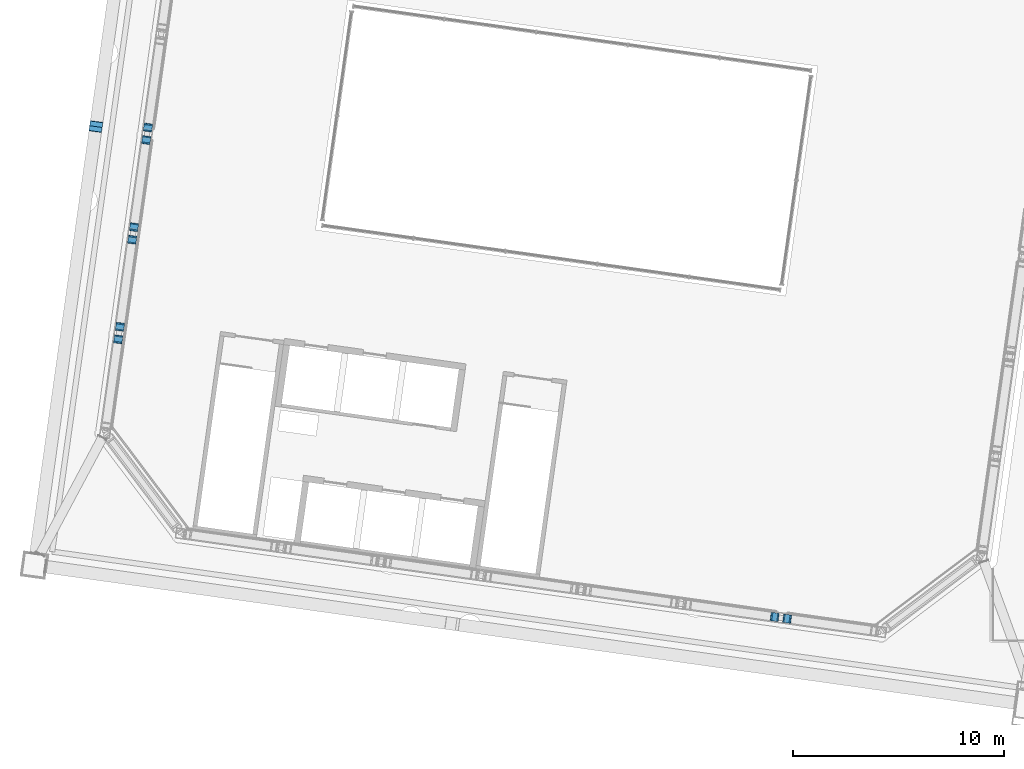
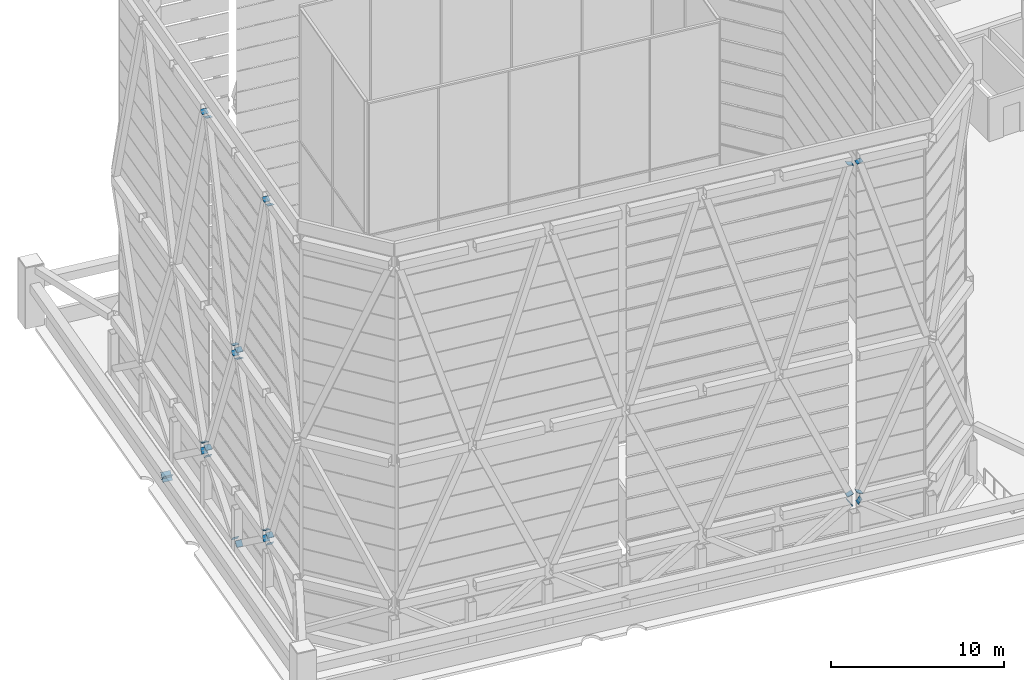
# One storey, part 31 of 45: 26 discrete accessories.
"""IFC4 building model written with IfcOpenShell, lengths in metres."""

import ifcopenshell
import ifcopenshell.guid

model = None  # the IFC model being written
_history = None  # IfcOwnerHistory: only IFC2X3 demands one
_inside = {}  # id of a spatial element -> (the spatial element, [elements in it])
_under = {}  # id of a project, library or spatial element -> (it, [spatial elements below it])
_declared = {}  # id of a project -> (the project, [libraries it declares])
_typed = {}  # id of a type object -> (the type object, [elements of that type])
_made_of = {}  # id of a material, layer set ... -> (it, [elements and type objects made of it])


def new_model(schema):
    """Start an empty IFC model of exactly this schema.

    Asked for "IFC4X3", IfcOpenShell would pick the latest addendum, in which some entities
    have other attributes; the version numbers below select the first issue.
    IFC2X3 requires an IfcOwnerHistory on every rooted entity: one is made here for all.
    """
    global model, _history
    if schema == "IFC4X3":
        model = ifcopenshell.file(schema_version=(4, 3, 0, 0))
    else:
        model = ifcopenshell.file(schema=schema)
    _inside.clear()
    _under.clear()
    _declared.clear()
    _typed.clear()
    _made_of.clear()
    _history = None
    if model.schema == "IFC2X3":
        org = make("IfcOrganization", Name="unknown")
        user = make(
            "IfcPersonAndOrganization",
            ThePerson=make("IfcPerson", FamilyName="unknown"),
            TheOrganization=org,
        )
        app = make(
            "IfcApplication",
            ApplicationDeveloper=org,
            Version="unknown",
            ApplicationFullName="unknown",
            ApplicationIdentifier="unknown",
        )
        _history = make(
            "IfcOwnerHistory",
            OwningUser=user,
            OwningApplication=app,
            ChangeAction="ADDED",
            CreationDate=0,
        )
    return model


def make(cls, **values):
    """One entity of the class cls with the attributes given. An attribute that is None is left unset."""
    return model.create_entity(
        cls, **{name: value for name, value in values.items() if value is not None}
    )


def rooted(cls, **values):
    """An entity with a GlobalId (a new one), such as an element, a storey or a relation."""
    return make(cls, GlobalId=ifcopenshell.guid.new(), OwnerHistory=_history, **values)


def si_unit(unit_type, name, prefix=None):
    """IfcSIUnit, for example si_unit("LENGTHUNIT", "METRE", prefix="MILLI")."""
    return make("IfcSIUnit", UnitType=unit_type, Prefix=prefix, Name=name)


def assignment(units):
    """IfcUnitAssignment: the units of a project."""
    return None if units is None else make("IfcUnitAssignment", Units=units)


def point(xyz):
    """IfcCartesianPoint."""
    return None if xyz is None else make("IfcCartesianPoint", Coordinates=xyz)


def direction(xyz):
    """IfcDirection."""
    return None if xyz is None else make("IfcDirection", DirectionRatios=xyz)


def frame(location, z_axis=None, x_axis=None):
    """IfcAxis2Placement3D, a coordinate frame: its origin and axes. An axis left out is left unset."""
    return make(
        "IfcAxis2Placement3D",
        Location=point(location),
        Axis=direction(z_axis),
        RefDirection=direction(x_axis),
    )


def frame_2d(location, x_axis=None):
    """IfcAxis2Placement2D, a coordinate frame in the plane: its origin and x axis."""
    return make(
        "IfcAxis2Placement2D", Location=point(location), RefDirection=direction(x_axis)
    )


def origin():
    """The frame at (0, 0, 0) with its axes left unset."""
    return frame((0.0, 0.0, 0.0))


def origin_2d():
    """The frame at (0, 0) in the plane with its x axis left unset."""
    return frame_2d((0.0, 0.0))


def place(relative_to, where):
    """IfcLocalPlacement: puts the frame where relative to a parent placement (None: the world)."""
    return make(
        "IfcLocalPlacement", PlacementRelTo=relative_to, RelativePlacement=where
    )


def context(
    kind, dimensions, precision=None, world=None, true_north=None, identifier=None
):
    """IfcGeometricRepresentationContext, for example the 3D "Model" context."""
    return make(
        "IfcGeometricRepresentationContext",
        ContextIdentifier=identifier,
        ContextType=kind,
        CoordinateSpaceDimension=dimensions,
        Precision=precision,
        WorldCoordinateSystem=world,
        TrueNorth=true_north,
    )


def subcontext(parent, identifier, kind, view, scale=None):
    """IfcGeometricRepresentationSubContext, for example "Body" below "Model"."""
    return make(
        "IfcGeometricRepresentationSubContext",
        ContextIdentifier=identifier,
        ContextType=kind,
        ParentContext=parent,
        TargetScale=scale,
        TargetView=view,
    )


def project(units=None, contexts=None):
    """IfcProject with its units and contexts."""
    return rooted(
        "IfcProject",
        Name="project",
        RepresentationContexts=contexts,
        UnitsInContext=assignment(units),
    )


def spatial(cls, under=None, at=None, **own):
    """A site, building, storey or space (cls), placed at a placement, below another one or the project."""
    s = rooted(cls, ObjectPlacement=at, **own)
    if under is not None:
        _under.setdefault(under.id(), (under, []))[1].append(s)
    return s


def profile(cls, at=None, kind="AREA", **sizes):
    """A parametric profile (cls). Its sizes go by their IFC names, for example OverallWidth=200.0."""
    return make(cls, ProfileType=kind, Position=at, **sizes)


def rectangle(**sizes):
    """IfcRectangleProfileDef."""
    return profile("IfcRectangleProfileDef", **sizes)


def extrude(swept, where, along, depth):
    """IfcExtrudedAreaSolid: the profile swept, set in the frame where, extruded along a direction by depth."""
    return make(
        "IfcExtrudedAreaSolid",
        SweptArea=swept,
        Position=where,
        ExtrudedDirection=direction(along),
        Depth=depth,
    )


def shape(context_of_items, identifier, shape_type, items):
    """IfcShapeRepresentation: the items that make up one representation, for example the "Body"."""
    return make(
        "IfcShapeRepresentation",
        ContextOfItems=context_of_items,
        RepresentationIdentifier=identifier,
        RepresentationType=shape_type,
        Items=items,
    )


def material(Name=None, Category=None):
    """IfcMaterial."""
    return make("IfcMaterial", Name=Name, Category=Category)


def material_profile(
    of_material, cross_section, Name=None, Category=None, Priority=None
):
    """IfcMaterialProfile: a cross section and its material."""
    return make(
        "IfcMaterialProfile",
        Name=Name,
        Material=of_material,
        Profile=cross_section,
        Priority=Priority,
        Category=Category,
    )


def profile_set(profiles, Name=None, composite=None):
    """IfcMaterialProfileSet."""
    return make(
        "IfcMaterialProfileSet",
        Name=Name,
        MaterialProfiles=profiles,
        CompositeProfile=composite,
    )


def made_of(thing, what):
    """Note that an element or type object is made of a material, layer set ...; save() writes the relation."""
    if what is not None:
        _made_of.setdefault(what.id(), (what, []))[1].append(thing)
    return thing


def type_object(cls, material=None, **own):
    """A type object (cls), such as IfcWallType, which elements share."""
    return made_of(rooted(cls, **own), material)


def element(
    cls,
    number,
    at=None,
    inside=None,
    cuts=None,
    type_object=None,
    material=None,
    context=None,
    identifier="Body",
    shape_type=None,
    held_by="IfcProductDefinitionShape",
    body=None,
    shapes=None,
    **own,
):
    """One element of the class cls, such as IfcWall. Its Tag is "e" and its number.

    at: its placement. inside: the storey or other place that contains it. cuts: it is an
    opening in that element (IfcRelVoidsElement). A single representation is given by context,
    identifier, shape_type and body (its items); several are given by shapes. held_by: the class
    of the entity that holds the representations. save() writes the other relations.
    """
    e = rooted(cls, Tag="e%d" % number, ObjectPlacement=at, **own)
    if body is not None:
        shapes = [shape(context, identifier, shape_type, body)]
    if shapes is not None:
        e.Representation = make(held_by, Representations=shapes)
    if inside is not None:
        _inside.setdefault(inside.id(), (inside, []))[1].append(e)
    if cuts is not None:
        rooted(
            "IfcRelVoidsElement", RelatingBuildingElement=cuts, RelatedOpeningElement=e
        )
    if type_object is not None:
        _typed.setdefault(type_object.id(), (type_object, []))[1].append(e)
    return made_of(e, material)


def aggregate(whole, parts):
    """IfcRelAggregates: a whole, such as a stair, and the parts it consists of."""
    return rooted("IfcRelAggregates", RelatingObject=whole, RelatedObjects=parts)


def save(model, path):
    """Write the relations noted so far, then the file.

    IfcRelAggregates (storeys below a building ...), IfcRelContainedInSpatialStructure (elements
    in a storey), IfcRelDefinesByType, IfcRelAssociatesMaterial and IfcRelDeclares: one each for
    every whole, place, type object, material and project.
    """
    for whole, parts in _under.values():
        aggregate(whole, parts)
    for where, things in _inside.values():
        rooted(
            "IfcRelContainedInSpatialStructure",
            RelatedElements=things,
            RelatingStructure=where,
        )
    for kind, things in _typed.values():
        rooted("IfcRelDefinesByType", RelatedObjects=things, RelatingType=kind)
    for what, things in _made_of.values():
        rooted("IfcRelAssociatesMaterial", RelatedObjects=things, RelatingMaterial=what)
    for by, libraries in _declared.values():
        rooted("IfcRelDeclares", RelatingContext=by, RelatedDefinitions=libraries)
    model.write(path)


model = new_model("IFC4")

# Units and contexts
model_context = context("Model", 3, precision=1e-05, world=origin(), true_north=direction((0.0, 1.0)))
body_context = subcontext(model_context, "Body", "Model", "MODEL_VIEW")
ifc_project = project(units=[si_unit("LENGTHUNIT", "METRE"), si_unit("AREAUNIT", "SQUARE_METRE"), si_unit("VOLUMEUNIT", "CUBIC_METRE"), si_unit("PLANEANGLEUNIT", "RADIAN"), si_unit("MASSUNIT", "GRAM", prefix="KILO")], contexts=[model_context])

# Site, building, storey
site_placement = place(None, origin())
site = spatial("IfcSite", under=ifc_project, at=site_placement, CompositionType="ELEMENT")
building_placement = place(site_placement, origin())
building = spatial("IfcBuilding", under=site, at=building_placement, Name="Mirante Cascada Hotel Towers", CompositionType="ELEMENT")
storey_placement = place(building_placement, frame((0.0, 0.0, 269.8)))
storey = spatial("IfcBuildingStorey", under=building, at=storey_placement, Name="Roof garden", CompositionType="ELEMENT", Elevation=269.8)

# Discrete accessories
ifc_material_1 = material(Name="Steel ASTM A572 Gr 50", Category="steel")
ifc_material_profile_1 = material_profile(ifc_material_1, rectangle(XDim=0.4, YDim=0.4, at=origin_2d()), Name="Connection plate 400x400x25 ASTM A572 Gr 50")
ifc_profile_set_1 = profile_set([ifc_material_profile_1], Name="Steel ASTM A572 Gr 50")
discrete_accessory_type_1 = type_object("IfcDiscreteAccessoryType", Name="Connection plate 400x400x25 ASTM A572 Gr 50", PredefinedType="BRACKET", material=ifc_profile_set_1)
for number, where, z_axis, x_axis, name in (
    (1, (-56.2485, 2.0021, 3.6925), (-0.1116566, -0.7935596, 0.5981605), (0.9902459, -0.1393311, 0.0), "Connection plate HT-D"),
    (2, (-56.9153, -2.7426, 0.5925), (0.1116566, 0.7935596, 0.5981605), (-0.9902459, 0.1393311, 0.0), "Connection plate HT-D"),
    (3, (-56.3348, 1.388, 3.6925), (0.1116566, 0.7935596, 0.5981605), (-0.9902459, 0.1393311, 0.0), "Connection plate HT-D"),
):
    element("IfcDiscreteAccessory", number, at=place(storey_placement, frame(where, z_axis=z_axis, x_axis=x_axis)), inside=storey, type_object=discrete_accessory_type_1, Name=name, PredefinedType="BRACKET", context=body_context, shape_type="SweptSolid", body=[
        extrude(rectangle(XDim=0.4, YDim=0.4, at=origin_2d()), origin(), (0.0, 0.0, 1.0), 0.0251),
    ])
for number, where, z_axis, x_axis, name in (
    (4, (-56.996, -3.3169, 0.5925), (-0.1120108, -0.792076, 0.6000576), (0.9901485, -0.140021, 0.0), "Connection plate HT-D"),
    (5, (-57.5765, -7.4475, 3.6925), (-0.1120108, -0.792076, 0.6000576), (0.9901485, -0.140021, 0.0), "Connection plate HT-D"),
):
    element("IfcDiscreteAccessory", number, at=place(storey_placement, frame(where, z_axis=z_axis, x_axis=x_axis)), inside=storey, type_object=discrete_accessory_type_1, Name=name, PredefinedType="BRACKET", context=body_context, shape_type="SweptSolid", body=[
        extrude(rectangle(XDim=0.4, YDim=0.4, at=origin_2d()), origin(), (0.0, 0.0, 1.0), 0.025),
    ])
discrete_accessory_1_placement = place(storey_placement, frame((-57.6628, -8.0615, 3.6925), z_axis=(0.1116566, 0.7935596, 0.5981605), x_axis=(-0.9902459, 0.1393311, 0.0)))
element("IfcDiscreteAccessory", 6, at=discrete_accessory_1_placement, inside=storey, type_object=discrete_accessory_type_1, Name="Connection plate HT-D", PredefinedType="BRACKET", context=body_context, shape_type="SweptSolid", body=[
    extrude(rectangle(XDim=0.4, YDim=0.4, at=origin_2d()), origin(), (0.0, 0.0, 1.0), 0.0251),
])
for number, where, z_axis, x_axis, name in (
    (7, (-26.5398, -21.2186, 3.6926), (0.7973471, -0.1121895, 0.5930018), (0.1393311, 0.9902459, 0.0), "Connection plate HT-D"),
    (8, (-25.9257, -21.3049, 3.6926), (-0.7973471, 0.1121895, 0.5930018), (-0.1393311, -0.9902459, 0.0), "Connection plate HT-D"),
):
    element("IfcDiscreteAccessory", number, at=place(storey_placement, frame(where, z_axis=z_axis, x_axis=x_axis)), inside=storey, type_object=discrete_accessory_type_1, Name=name, PredefinedType="BRACKET", context=body_context, shape_type="SweptSolid", body=[
        extrude(rectangle(XDim=0.4, YDim=0.4, at=origin_2d()), origin(), (0.0, 0.0, 1.0), 0.025),
    ])
discrete_accessory_2_placement = place(storey_placement, frame((-56.2506, 1.9871, 4.2886), z_axis=(0.0561439, 0.4010279, 0.9143437), x_axis=(-0.9903417, 0.1386478, 0.0)))
element("IfcDiscreteAccessory", 9, at=discrete_accessory_2_placement, inside=storey, type_object=discrete_accessory_type_1, Name="Connection plate CF-B", PredefinedType="BRACKET", context=body_context, shape_type="SweptSolid", body=[
    extrude(rectangle(XDim=0.4, YDim=0.4, at=origin_2d()), origin(), (0.0, 0.0, 1.0), 0.0249),
])
for number, where, z_axis, x_axis, name in (
    (10, (-56.3327, 1.403, 4.2886), (-0.0560534, -0.4043852, 0.9128695), (0.9905294, -0.1373011, 0.0), "Connection plate CF-B"),
    (11, (-56.9132, -2.7276, 13.6886), (-0.0560534, -0.4043852, 0.9128695), (0.9905294, -0.1373011, 0.0), "Connection plate CF-B"),
):
    element("IfcDiscreteAccessory", number, at=place(storey_placement, frame(where, z_axis=z_axis, x_axis=x_axis)), inside=storey, type_object=discrete_accessory_type_1, Name=name, PredefinedType="BRACKET", context=body_context, shape_type="SweptSolid", body=[
        extrude(rectangle(XDim=0.4, YDim=0.4, at=origin_2d()), origin(), (0.0, 0.0, 1.0), 0.025),
    ])
for number, where, z_axis, x_axis, name in (
    (12, (-57.5786, -7.4624, 4.2886), (0.0561439, 0.4010279, 0.9143437), (-0.9903417, 0.1386478, 0.0), "Connection plate CF-B"),
    (13, (-56.9981, -3.3318, 13.6886), (0.0561439, 0.4010279, 0.9143437), (-0.9903417, 0.1386478, 0.0), "Connection plate CF-B"),
    (14, (-57.6607, -8.0466, 4.2886), (-0.0561439, -0.4010279, 0.9143437), (0.9903417, -0.1386478, 0.0), "Connection plate CF-B"),
    (15, (-26.5248, -21.2207, 4.2886), (-0.4010279, 0.0561439, 0.9143437), (-0.1386478, -0.9903417, 0.0), "Connection plate CF-B"),
):
    element("IfcDiscreteAccessory", number, at=place(storey_placement, frame(where, z_axis=z_axis, x_axis=x_axis)), inside=storey, type_object=discrete_accessory_type_1, Name=name, PredefinedType="BRACKET", context=body_context, shape_type="SweptSolid", body=[
        extrude(rectangle(XDim=0.4, YDim=0.4, at=origin_2d()), origin(), (0.0, 0.0, 1.0), 0.0249),
    ])
discrete_accessory_3_placement = place(storey_placement, frame((-25.9407, -21.3028, 4.2886), z_axis=(0.4043852, -0.0560534, 0.9128695), x_axis=(0.1373011, 0.9905294, 0.0)))
element("IfcDiscreteAccessory", 16, at=discrete_accessory_3_placement, inside=storey, type_object=discrete_accessory_type_1, Name="Connection plate CF-B", PredefinedType="BRACKET", context=body_context, shape_type="SweptSolid", body=[
    extrude(rectangle(XDim=0.4, YDim=0.4, at=origin_2d()), origin(), (0.0, 0.0, 1.0), 0.025),
])
for number, where, z_axis, x_axis, name in (
    (17, (-56.2493, 1.9958, 27.6381), (-0.0440915, -0.2966152, 0.9539787), (0.9891316, -0.1470331, 0.0), "Connection plate CF-B"),
    (18, (-56.9144, -2.7363, 14.2881), (0.0401373, 0.2930026, 0.9552688), (-0.9907474, 0.1357188, 0.0), "Connection plate CF-B"),
    (19, (-56.3339, 1.3943, 27.6381), (0.0440915, 0.2966152, 0.9539787), (-0.9891316, 0.1470331, 0.0), "Connection plate CF-B"),
    (20, (-56.9969, -3.3231, 14.2881), (-0.0400899, -0.2966653, 0.9541397), (0.9909924, -0.1339179, 0.0), "Connection plate CF-B"),
    (21, (-57.5774, -7.4537, 27.6381), (-0.0400899, -0.2966653, 0.9541397), (0.9909924, -0.1339179, 0.0), "Connection plate CF-B"),
    (22, (-57.6619, -8.0553, 27.6381), (0.0400899, 0.2966653, 0.9541397), (-0.9909924, 0.1339179, 0.0), "Connection plate CF-B"),
    (23, (-26.5335, -21.2195, 27.6381), (0.2966653, -0.0400899, 0.9541397), (0.1339179, 0.9909924, 0.0), "Connection plate CF-B"),
):
    element("IfcDiscreteAccessory", number, at=place(storey_placement, frame(where, z_axis=z_axis, x_axis=x_axis)), inside=storey, type_object=discrete_accessory_type_1, Name=name, PredefinedType="BRACKET", context=body_context, shape_type="SweptSolid", body=[
        extrude(rectangle(XDim=0.4, YDim=0.4, at=origin_2d()), origin(), (0.0, 0.0, 1.0), 0.0249),
    ])
discrete_accessory_4_placement = place(storey_placement, frame((-25.9319, -21.304, 27.6381), z_axis=(-0.3003149, 0.040042, 0.9529993), x_axis=(-0.1321637, -0.9912279, 0.0)))
element("IfcDiscreteAccessory", 24, at=discrete_accessory_4_placement, inside=storey, type_object=discrete_accessory_type_1, Name="Connection plate CF-B", PredefinedType="BRACKET", context=body_context, shape_type="SweptSolid", body=[
    extrude(rectangle(XDim=0.4, YDim=0.4, at=origin_2d()), origin(), (0.0, 0.0, 1.0), 0.025),
])
ifc_material_2 = material(Name="Steel ASTM A572 Gr 50", Category="steel")
ifc_material_profile_2 = material_profile(ifc_material_2, rectangle(XDim=0.6, YDim=0.6, at=origin_2d()), Name="Connection plate 600x600x25 ASTM A572 Gr 50")
ifc_profile_set_2 = profile_set([ifc_material_profile_2], Name="Steel ASTM A572 Gr 50")
discrete_accessory_type_2 = type_object("IfcDiscreteAccessoryType", Name="Connection plate 600x600x25 ASTM A572 Gr 50", PredefinedType="BRACKET", material=ifc_profile_set_2)
for number, where, z_axis, x_axis, name in (
    (25, (-58.7261, 1.9768, 2.6573), (0.1078268, 0.7747552, 0.622999), (-0.9904536, 0.1378466, 0.0), "Connection plate MB-OL61L"),
    (26, (-58.7095, 2.0952, 2.6573), (-0.1078268, -0.7747552, 0.622999), (0.9904536, -0.1378466, 0.0), "Connection plate MB-OL61R"),
):
    element("IfcDiscreteAccessory", number, at=place(storey_placement, frame(where, z_axis=z_axis, x_axis=x_axis)), inside=storey, type_object=discrete_accessory_type_2, Name=name, PredefinedType="BRACKET", context=body_context, shape_type="SweptSolid", body=[
        extrude(rectangle(XDim=0.6, YDim=0.6, at=origin_2d()), origin(), (0.0, 0.0, 1.0), 0.025),
    ])

save(model, "model.ifc")
